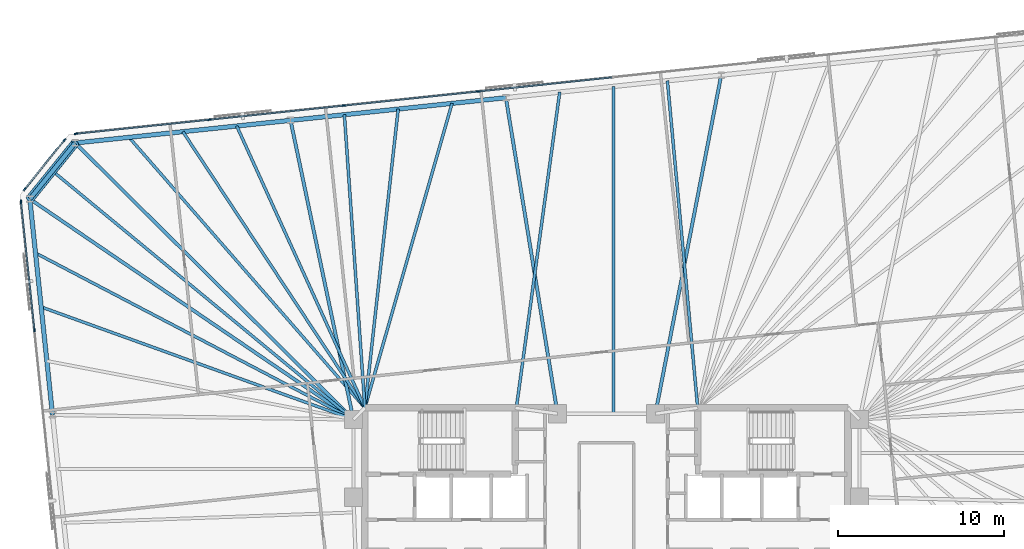
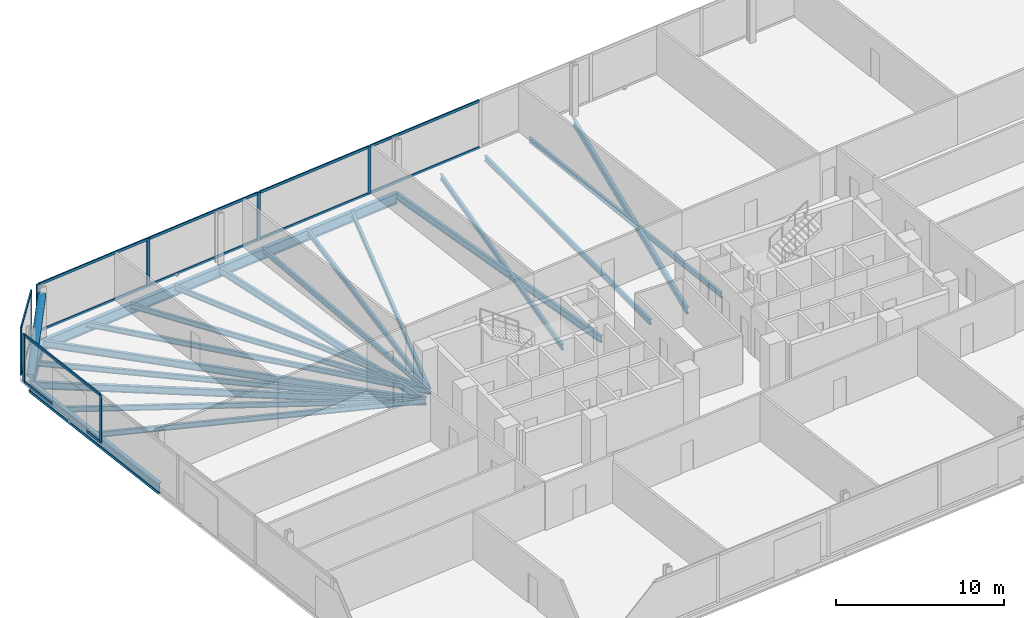
# One storey, part 9 of 18: 21 beams, 21 members, 3 elements without a shape of their own.
"""IFC4 building model written with IfcOpenShell, lengths in metres."""

from ifc_helpers import new_model, si_unit, direction, frame, origin, origin_2d, place, context, subcontext, project, spatial, rectangle, hollow_circle, i_section, extrude, material, material_profile, profile_set, type_object, element, aggregate, save


model = new_model("IFC4")

# Units and contexts
model_context = context("Model", 3, precision=1e-05, world=origin(), true_north=direction((0.0, 1.0)))
body_context = subcontext(model_context, "Body", "Model", "MODEL_VIEW")
ifc_project = project(units=[si_unit("LENGTHUNIT", "METRE"), si_unit("AREAUNIT", "SQUARE_METRE"), si_unit("VOLUMEUNIT", "CUBIC_METRE"), si_unit("PLANEANGLEUNIT", "RADIAN"), si_unit("MASSUNIT", "GRAM", prefix="KILO")], contexts=[model_context])

# Site, building, storey
site_placement = place(None, origin())
site = spatial("IfcSite", under=ifc_project, at=site_placement, CompositionType="ELEMENT")
building_placement = place(site_placement, origin())
building = spatial("IfcBuilding", under=site, at=building_placement, Name="Menara Jurai Vektor", CompositionType="ELEMENT")
storey_placement = place(building_placement, frame((0.0, 0.0, 98.5)))
storey = spatial("IfcBuildingStorey", under=building, at=storey_placement, Name="L24", CompositionType="ELEMENT", Elevation=98.5)

# Curtain wall, members
ifc_material_1 = material(Name="Anodised Pale Aluminium & Low-E Double Glazing", Category="aluminium")
curtain_wall_type = type_object("IfcCurtainWallType", Name="CW-BLK2", PredefinedType="NOTDEFINED", material=ifc_material_1)
curtain_wall_1_placement = place(storey_placement, origin())
curtain_wall_1 = element("IfcCurtainWall", 1, at=curtain_wall_1_placement, inside=storey, type_object=curtain_wall_type, Name="Unitised Curtain Wall L24 F05", PredefinedType="NOTDEFINED")
ifc_material_2 = material(Name="Anodised Pale Aluminium Mullion", Category="aluminium")
ifc_material_profile_1 = material_profile(ifc_material_2, rectangle(XDim=0.090087890625, YDim=0.219970703125, at=origin_2d()), Name="ALU MUL 90x220")
ifc_profile_set_1 = profile_set([ifc_material_profile_1], Name="Anodised Pale Aluminium Mullion")
member_type_1 = type_object("IfcMemberType", Name="CW-BLK2-MUL", PredefinedType="MULLION", material=ifc_profile_set_1)
member_1_placement = place(storey_placement, frame((-7.728271484375, 24.67138671875, 0.0), z_axis=(0.0, 0.0, 1.0), x_axis=(0.104528634935, -0.994521877325, 0.0)))
member_1 = element("IfcMember", 2, at=member_1_placement, type_object=member_type_1, Name="CW-02 mullion 6", PredefinedType="MULLION", context=body_context, shape_type="SweptSolid", body=[
    extrude(rectangle(XDim=0.090087890625, YDim=0.219970703125, at=origin_2d()), origin(), (0.0, 0.0, 1.0), 3.47509765625),
])
member_2_placement = place(storey_placement, frame((-15.826171875, 23.8203125, 0.0), z_axis=(0.0, 0.0, 1.0), x_axis=(0.104528634935, -0.994521877325, 0.0)))
member_2 = element("IfcMember", 3, at=member_2_placement, type_object=member_type_1, Name="CW-02 mullion 7", PredefinedType="MULLION", context=body_context, shape_type="SweptSolid", body=[
    extrude(rectangle(XDim=0.090087890625, YDim=0.219970703125, at=origin_2d()), origin(), (0.0, 0.0, 1.0), 3.47509765625),
])
member_3_placement = place(storey_placement, frame((-23.924072265625, 22.96923828125, 0.0), z_axis=(0.0, 0.0, 1.0), x_axis=(0.104528634935, -0.994521877325, 0.0)))
member_3 = element("IfcMember", 4, at=member_3_placement, type_object=member_type_1, Name="CW-02 mullion 8", PredefinedType="MULLION", context=body_context, shape_type="SweptSolid", body=[
    extrude(rectangle(XDim=0.090087890625, YDim=0.219970703125, at=origin_2d()), origin(), (0.0, 0.0, 1.0), 3.47509765625),
])
member_4_placement = place(storey_placement, frame((-31.97705078125, 22.122802734375, 0.0), z_axis=(0.0, 0.0, 1.0), x_axis=(0.104528634935, -0.994521877325, 0.0)))
member_4 = element("IfcMember", 5, at=member_4_placement, type_object=member_type_1, Name="CW-02 mullion 9", PredefinedType="MULLION", context=body_context, shape_type="SweptSolid", body=[
    extrude(rectangle(XDim=0.090087890625, YDim=0.219970703125, at=origin_2d()), origin(), (0.0, 0.0, 1.0), 3.47509765625),
])

curtain_wall_2_placement = place(storey_placement, origin())
curtain_wall_2 = element("IfcCurtainWall", 6, at=curtain_wall_2_placement, inside=storey, type_object=curtain_wall_type, Name="Unitised Curtain Wall L24 F06", PredefinedType="NOTDEFINED")
member_5_placement = place(storey_placement, frame((-32.667236328125, 21.748046875, 0.0), z_axis=(0.0, 0.0, 1.0), x_axis=(0.777129222223, -0.62934106172, 0.0)))
member_5 = element("IfcMember", 7, at=member_5_placement, type_object=member_type_1, Name="CW-02 mullion 1", PredefinedType="MULLION", context=body_context, shape_type="SweptSolid", body=[
    extrude(rectangle(XDim=0.090087890625, YDim=0.219970703125, at=origin_2d()), origin(), (0.0, 0.0, 1.0), 3.47509765625),
])
member_6_placement = place(storey_placement, frame((-35.0693359375, 18.781982421875, 0.0), z_axis=(0.0, 0.0, 1.0), x_axis=(0.777129222223, -0.62934106172, 0.0)))
member_6 = element("IfcMember", 8, at=member_6_placement, type_object=member_type_1, Name="CW-02 mullion 2", PredefinedType="MULLION", context=body_context, shape_type="SweptSolid", body=[
    extrude(rectangle(XDim=0.090087890625, YDim=0.219970703125, at=origin_2d()), origin(), (0.0, 0.0, 1.0), 3.47509765625),
])

curtain_wall_3_placement = place(storey_placement, origin())
curtain_wall_3 = element("IfcCurtainWall", 9, at=curtain_wall_3_placement, inside=storey, type_object=curtain_wall_type, Name="Unitised Curtain Wall L24 F07", PredefinedType="NOTDEFINED")
member_7_placement = place(storey_placement, frame((-35.29248046875, 18.029052734375, 0.0), z_axis=(0.0, 0.0, 1.0), x_axis=(0.99452177832, 0.104529576902, 0.0)))
member_7 = element("IfcMember", 10, at=member_7_placement, type_object=member_type_1, Name="CW-02 mullion 1", PredefinedType="MULLION", context=body_context, shape_type="SweptSolid", body=[
    extrude(rectangle(XDim=0.090087890625, YDim=0.219970703125, at=origin_2d()), origin(), (0.0, 0.0, 1.0), 3.47509765625),
])
member_8_placement = place(storey_placement, frame((-34.478759765625, 10.28857421875, 0.0), z_axis=(0.0, 0.0, 1.0), x_axis=(0.99452177832, 0.104529576902, 0.0)))
member_8 = element("IfcMember", 11, at=member_8_placement, type_object=member_type_1, Name="CW-02 mullion 2", PredefinedType="MULLION", context=body_context, shape_type="SweptSolid", body=[
    extrude(rectangle(XDim=0.090087890625, YDim=0.219970703125, at=origin_2d()), origin(), (0.0, 0.0, 1.0), 3.47509765625),
])

# Member
ifc_material_3 = material(Name="Anodised Pale Aluminium Transom", Category="aluminium")
ifc_material_profile_2 = material_profile(ifc_material_3, rectangle(XDim=0.090087890625, YDim=0.18505859375, at=origin_2d()), Name="ALU TRN 90x185")
ifc_profile_set_2 = profile_set([ifc_material_profile_2], Name="Anodised Pale Aluminium Transom")
member_type_2 = type_object("IfcMemberType", Name="CW-BLK2-TRN", PredefinedType="USERDEFINED", material=ifc_profile_set_2)
member_9_placement = place(storey_placement, frame((0.324951171875, 25.517822265625, 0.044921875), z_axis=(-0.99452387809, -0.104509597213, 0.0), x_axis=(0.104509597213, -0.99452387809, 0.0)))
member_9 = element("IfcMember", 12, at=member_9_placement, type_object=member_type_2, Name="CW-02 transom 5.1", ObjectType="TRANSOM", PredefinedType="USERDEFINED", context=body_context, shape_type="SweptSolid", body=[
    extrude(rectangle(XDim=0.090087890625, YDim=0.18505859375, at=origin_2d()), origin(), (0.0, 0.0, 1.0), 8.052490234375),
])

member_10_placement = place(storey_placement, frame((0.324951171875, 25.517822265625, 3.429931640625), z_axis=(-0.99452387809, -0.104509597213, 0.0), x_axis=(0.104509597213, -0.99452387809, 0.0)))
member_10 = element("IfcMember", 13, at=member_10_placement, type_object=member_type_2, Name="CW-02 transom 5.2", ObjectType="TRANSOM", PredefinedType="USERDEFINED", context=body_context, shape_type="SweptSolid", body=[
    extrude(rectangle(XDim=0.090087890625, YDim=0.18505859375, at=origin_2d()), origin(), (0.0, 0.0, 1.0), 8.052490234375),
])

member_11_placement = place(storey_placement, frame((-7.77294921875, 24.666748046875, 0.044921875), z_axis=(-0.994520726373, -0.10453958492, 0.0), x_axis=(0.10453958492, -0.994520726373, 0.0)))
member_11 = element("IfcMember", 14, at=member_11_placement, type_object=member_type_2, Name="CW-02 transom 6.1", ObjectType="TRANSOM", PredefinedType="USERDEFINED", context=body_context, shape_type="SweptSolid", body=[
    extrude(rectangle(XDim=0.090087890625, YDim=0.18505859375, at=origin_2d()), origin(), (0.0, 0.0, 1.0), 8.052490234375),
])

member_12_placement = place(storey_placement, frame((-7.77294921875, 24.666748046875, 3.429931640625), z_axis=(-0.994520726373, -0.10453958492, 0.0), x_axis=(0.10453958492, -0.994520726373, 0.0)))
member_12 = element("IfcMember", 15, at=member_12_placement, type_object=member_type_2, Name="CW-02 transom 6.2", ObjectType="TRANSOM", PredefinedType="USERDEFINED", context=body_context, shape_type="SweptSolid", body=[
    extrude(rectangle(XDim=0.090087890625, YDim=0.18505859375, at=origin_2d()), origin(), (0.0, 0.0, 1.0), 8.052490234375),
])

member_13_placement = place(storey_placement, frame((-15.870849609375, 23.815673828125, 0.044921875), z_axis=(-0.994520726373, -0.10453958492, 0.0), x_axis=(0.10453958492, -0.994520726373, 0.0)))
member_13 = element("IfcMember", 16, at=member_13_placement, type_object=member_type_2, Name="CW-02 transom 7.1", ObjectType="TRANSOM", PredefinedType="USERDEFINED", context=body_context, shape_type="SweptSolid", body=[
    extrude(rectangle(XDim=0.090087890625, YDim=0.18505859375, at=origin_2d()), origin(), (0.0, 0.0, 1.0), 8.052490234375),
])

member_14_placement = place(storey_placement, frame((-15.870849609375, 23.815673828125, 3.429931640625), z_axis=(-0.994520726373, -0.10453958492, 0.0), x_axis=(0.10453958492, -0.994520726373, 0.0)))
member_14 = element("IfcMember", 17, at=member_14_placement, type_object=member_type_2, Name="CW-02 transom 7.2", ObjectType="TRANSOM", PredefinedType="USERDEFINED", context=body_context, shape_type="SweptSolid", body=[
    extrude(rectangle(XDim=0.090087890625, YDim=0.18505859375, at=origin_2d()), origin(), (0.0, 0.0, 1.0), 8.052490234375),
])

member_15_placement = place(storey_placement, frame((-23.96875, 22.964599609375, 0.044921875), z_axis=(-0.994519977808, -0.104546706027, 0.0), x_axis=(0.104546706027, -0.994519977808, 0.0)))
member_15 = element("IfcMember", 18, at=member_15_placement, type_object=member_type_2, Name="CW-02 transom 8.1", ObjectType="TRANSOM", PredefinedType="USERDEFINED", context=body_context, shape_type="SweptSolid", body=[
    extrude(rectangle(XDim=0.090087890625, YDim=0.18505859375, at=origin_2d()), origin(), (0.0, 0.0, 1.0), 8.007568359375),
])

member_16_placement = place(storey_placement, frame((-23.96875, 22.964599609375, 3.429931640625), z_axis=(-0.994519977808, -0.104546706027, 0.0), x_axis=(0.104546706027, -0.994519977808, 0.0)))
member_16 = element("IfcMember", 19, at=member_16_placement, type_object=member_type_2, Name="CW-02 transom 8.2", ObjectType="TRANSOM", PredefinedType="USERDEFINED", context=body_context, shape_type="SweptSolid", body=[
    extrude(rectangle(XDim=0.090087890625, YDim=0.18505859375, at=origin_2d()), origin(), (0.0, 0.0, 1.0), 8.007568359375),
])

aggregate(curtain_wall_1, [member_1, member_2, member_3, member_4, member_9, member_10, member_11, member_12, member_13, member_14, member_15, member_16])

member_17_placement = place(storey_placement, frame((-32.695556640625, 21.713134765625, 0.044921875), z_axis=(-0.6293414396, -0.777128916205, 0.0), x_axis=(0.777128916205, -0.6293414396, 0.0)))
member_17 = element("IfcMember", 20, at=member_17_placement, type_object=member_type_2, Name="CW-02 transom 1.1", ObjectType="TRANSOM", PredefinedType="USERDEFINED", context=body_context, shape_type="SweptSolid", body=[
    extrude(rectangle(XDim=0.090087890625, YDim=0.18505859375, at=origin_2d()), origin(), (0.0, 0.0, 1.0), 3.726806640625),
])

member_18_placement = place(storey_placement, frame((-32.695556640625, 21.713134765625, 3.429931640625), z_axis=(-0.6293414396, -0.777128916205, 0.0), x_axis=(0.777128916205, -0.6293414396, 0.0)))
member_18 = element("IfcMember", 21, at=member_18_placement, type_object=member_type_2, Name="CW-02 transom 1.2", ObjectType="TRANSOM", PredefinedType="USERDEFINED", context=body_context, shape_type="SweptSolid", body=[
    extrude(rectangle(XDim=0.090087890625, YDim=0.18505859375, at=origin_2d()), origin(), (0.0, 0.0, 1.0), 3.726806640625),
])

aggregate(curtain_wall_2, [member_5, member_6, member_17, member_18])

member_19_placement = place(storey_placement, frame((-35.28759765625, 17.984130859375, 0.044921875), z_axis=(0.104504716935, -0.994524390922, 0.0), x_axis=(0.994524390922, 0.104504716935, 0.0)))
member_19 = element("IfcMember", 22, at=member_19_placement, type_object=member_type_2, Name="CW-02 transom 1.1", ObjectType="TRANSOM", PredefinedType="USERDEFINED", context=body_context, shape_type="SweptSolid", body=[
    extrude(rectangle(XDim=0.090087890625, YDim=0.18505859375, at=origin_2d()), origin(), (0.0, 0.0, 1.0), 7.693115234375),
])

member_20_placement = place(storey_placement, frame((-35.28759765625, 17.984130859375, 3.429931640625), z_axis=(0.104504716935, -0.994524390922, 0.0), x_axis=(0.994524390922, 0.104504716935, 0.0)))
member_20 = element("IfcMember", 23, at=member_20_placement, type_object=member_type_2, Name="CW-02 transom 1.2", ObjectType="TRANSOM", PredefinedType="USERDEFINED", context=body_context, shape_type="SweptSolid", body=[
    extrude(rectangle(XDim=0.090087890625, YDim=0.18505859375, at=origin_2d()), origin(), (0.0, 0.0, 1.0), 7.693115234375),
])

aggregate(curtain_wall_3, [member_7, member_8, member_19, member_20])

# Beams
ifc_material_4 = material(Name="Steel S355", Category="steel")
ifc_material_profile_3 = material_profile(ifc_material_4, i_section(OverallWidth=0.199951171875, OverallDepth=0.5, WebThickness=0.011962890625, FlangeThickness=0.02001953125, at=origin_2d()), Name="PG 500x200x96")
ifc_profile_set_3 = profile_set([ifc_material_profile_3], Name="Steel S355")
beam_type_1 = type_object("IfcBeamType", Name="STR-BM-500", PredefinedType="BEAM", material=ifc_profile_set_3)
beam_1_placement = place(storey_placement, frame((6.9169921875, 25.65771484375, -0.47509765625), z_axis=(-0.190817481746, -0.981625533826, 0.0), x_axis=(0.981625533826, -0.190817481746, 0.0)))
element("IfcBeam", 24, at=beam_1_placement, inside=storey, type_object=beam_type_1, Name="Radial Floor Girder L24-N3", PredefinedType="BEAM", context=body_context, shape_type="SweptSolid", body=[
    extrude(i_section(OverallWidth=0.199951171875, OverallDepth=0.5, WebThickness=0.011962890625, FlangeThickness=0.02001953125, at=origin_2d()), origin(), (0.0, 0.0, 1.0), 20.789794921875),
])
beam_2_placement = place(storey_placement, frame((-6.0625, 24.29345703125, -0.47509765625), z_axis=(0.161304178177, -0.986904738109, 0.0), x_axis=(0.986904738109, 0.161304178177, 0.0)))
element("IfcBeam", 25, at=beam_2_placement, inside=storey, type_object=beam_type_1, Name="Radial Floor Girder L24-N4", PredefinedType="BEAM", context=body_context, shape_type="SweptSolid", body=[
    extrude(i_section(OverallWidth=0.199951171875, OverallDepth=0.5, WebThickness=0.011962890625, FlangeThickness=0.02001953125, at=origin_2d()), origin(), (0.0, 0.0, 1.0), 19.296142578125),
])
beam_3_placement = place(storey_placement, frame((-19.042236328125, 22.92919921875, -0.47509765625), z_axis=(0.205833499861, -0.978587027471, 0.0), x_axis=(0.978587027471, 0.205833499861, 0.0)))
element("IfcBeam", 26, at=beam_3_placement, inside=storey, type_object=beam_type_1, Name="Radial Floor Girder L24-N5", PredefinedType="BEAM", context=body_context, shape_type="SweptSolid", body=[
    extrude(i_section(OverallWidth=0.199951171875, OverallDepth=0.5, WebThickness=0.011962890625, FlangeThickness=0.02001953125, at=origin_2d()), origin(), (0.0, 0.0, 1.0), 18.423828125),
])
beam_4_placement = place(storey_placement, frame((-32.02197265625, 21.565185546875, -0.47509765625), z_axis=(0.709359361276, -0.704847002242, 0.0), x_axis=(0.704847002242, 0.709359361276, 0.0)))
element("IfcBeam", 27, at=beam_4_placement, inside=storey, type_object=beam_type_1, Name="Radial Floor Girder L24-N6", PredefinedType="BEAM", context=body_context, shape_type="SweptSolid", body=[
    extrude(i_section(OverallWidth=0.199951171875, OverallDepth=0.5, WebThickness=0.011962890625, FlangeThickness=0.02001953125, at=origin_2d()), origin(), (0.0, 0.0, 1.0), 23.643798828125),
])
beam_5_placement = place(storey_placement, frame((-34.756103515625, 18.188720703125, -0.47509765625), z_axis=(0.826440214756, -0.563024485643, 0.0), x_axis=(0.563024485643, 0.826440214756, 0.0)))
element("IfcBeam", 28, at=beam_5_placement, inside=storey, type_object=beam_type_1, Name="Radial Floor Girder L24-W1", PredefinedType="BEAM", context=body_context, shape_type="SweptSolid", body=[
    extrude(i_section(OverallWidth=0.199951171875, OverallDepth=0.5, WebThickness=0.011962890625, FlangeThickness=0.02001953125, at=origin_2d()), origin(), (0.0, 0.0, 1.0), 23.6025390625),
])

# Member
ifc_material_5 = material(Name="Steel S460", Category="steel")
ifc_material_profile_4 = material_profile(ifc_material_5, hollow_circle(Radius=0.25390625, WallThickness=0.02001953125, at=origin_2d()), Name="CHS 508x20")
ifc_profile_set_4 = profile_set([ifc_material_profile_4], Name="Steel S460")
member_type_3 = type_object("IfcMemberType", Name="STR-BR-508", PredefinedType="BRACE", material=ifc_profile_set_4)
member_21_placement = place(storey_placement, frame((-34.756103515625, 18.188720703125, 0.14990234375), z_axis=(0.519237856236, 0.641223283484, 0.564999778203), x_axis=(-0.777154568396, 0.629309762217, 0.0)))
element("IfcMember", 29, at=member_21_placement, inside=storey, type_object=member_type_3, Name="Exoskeleton Corner Brace L24-3", PredefinedType="BRACE", context=body_context, shape_type="SweptSolid", body=[
    extrude(hollow_circle(Radius=0.25390625, WallThickness=0.02001953125, at=origin_2d()), origin(), (0.0, 0.0, 1.0), 5.265625),
])

# Beams
ifc_material_profile_5 = material_profile(ifc_material_4, i_section(OverallWidth=0.175048828125, OverallDepth=0.3798828125, WebThickness=0.010009765625, FlangeThickness=0.014892578125, at=origin_2d()), Name="PG 380x175x58")
ifc_profile_set_5 = profile_set([ifc_material_profile_5], Name="Steel S355")
beam_type_2 = type_object("IfcBeamType", Name="STR-JS-380", PredefinedType="JOIST", material=ifc_profile_set_5)
beam_6_placement = place(storey_placement, frame((3.672119140625, 25.316650390625, -0.4150390625), z_axis=(0.092312082085, -0.995730123829, 0.0), x_axis=(0.995730123829, 0.092312082085, 0.0)))
element("IfcBeam", 30, at=beam_6_placement, inside=storey, type_object=beam_type_2, Name="Radial Secondary Floor Joist L24-JS26", PredefinedType="JOIST", context=body_context, shape_type="SweptSolid", body=[
    extrude(i_section(OverallWidth=0.175048828125, OverallDepth=0.3798828125, WebThickness=0.010009765625, FlangeThickness=0.014892578125, at=origin_2d()), origin(), (0.0, 0.0, 1.0), 19.801025390625),
])
beam_7_placement = place(storey_placement, frame((0.42724609375, 24.9755859375, -0.4150390625), z_axis=(0.0, -1.0, 0.0), x_axis=(1.0, 0.0, 0.0)))
element("IfcBeam", 31, at=beam_7_placement, inside=storey, type_object=beam_type_2, Name="Radial Secondary Floor Joist L24-JS27", PredefinedType="JOIST", context=body_context, shape_type="SweptSolid", body=[
    extrude(i_section(OverallWidth=0.175048828125, OverallDepth=0.3798828125, WebThickness=0.010009765625, FlangeThickness=0.014892578125, at=origin_2d()), origin(), (0.0, 0.0, 1.0), 19.7255859375),
])
beam_8_placement = place(storey_placement, frame((-2.817626953125, 24.634521484375, -0.4150390625), z_axis=(-0.135987109192, -0.990710606652, 0.0), x_axis=(0.990710606652, -0.135987109192, 0.0)))
element("IfcBeam", 32, at=beam_8_placement, inside=storey, type_object=beam_type_2, Name="Radial Secondary Floor Joist L24-JS28", PredefinedType="JOIST", context=body_context, shape_type="SweptSolid", body=[
    extrude(i_section(OverallWidth=0.175048828125, OverallDepth=0.3798828125, WebThickness=0.010009765625, FlangeThickness=0.014892578125, at=origin_2d()), origin(), (0.0, 0.0, 1.0), 19.222412109375),
])
beam_9_placement = place(storey_placement, frame((-9.3076171875, 23.952392578125, -0.4150390625), z_axis=(-0.275153530359, -0.961400298903, 0.0), x_axis=(0.961400298903, -0.275153530359, 0.0)))
element("IfcBeam", 33, at=beam_9_placement, inside=storey, type_object=beam_type_2, Name="Radial Secondary Floor Joist L24-JS29", PredefinedType="JOIST", context=body_context, shape_type="SweptSolid", body=[
    extrude(i_section(OverallWidth=0.175048828125, OverallDepth=0.3798828125, WebThickness=0.010009765625, FlangeThickness=0.014892578125, at=origin_2d()), origin(), (0.0, 0.0, 1.0), 19.089111328125),
])
beam_10_placement = place(storey_placement, frame((-12.552490234375, 23.611328125, -0.4150390625), z_axis=(-0.110776028048, -0.993845396231, 0.0), x_axis=(0.993845396231, -0.110776028048, 0.0)))
element("IfcBeam", 34, at=beam_10_placement, inside=storey, type_object=beam_type_2, Name="Radial Secondary Floor Joist L24-JS30", PredefinedType="JOIST", context=body_context, shape_type="SweptSolid", body=[
    extrude(i_section(OverallWidth=0.175048828125, OverallDepth=0.3798828125, WebThickness=0.010009765625, FlangeThickness=0.014892578125, at=origin_2d()), origin(), (0.0, 0.0, 1.0), 18.122802734375),
])
beam_11_placement = place(storey_placement, frame((-15.79736328125, 23.2705078125, -0.4150390625), z_axis=(0.069850249402, -0.997557488398, 0.0), x_axis=(0.997557488398, 0.069850249402, 0.0)))
element("IfcBeam", 35, at=beam_11_placement, inside=storey, type_object=beam_type_2, Name="Radial Secondary Floor Joist L24-JS31", PredefinedType="JOIST", context=body_context, shape_type="SweptSolid", body=[
    extrude(i_section(OverallWidth=0.175048828125, OverallDepth=0.3798828125, WebThickness=0.010009765625, FlangeThickness=0.014892578125, at=origin_2d()), origin(), (0.0, 0.0, 1.0), 17.713623046875),
])
beam_12_placement = place(storey_placement, frame((-22.287109375, 22.58837890625, -0.4150390625), z_axis=(0.414029617818, -0.910263409992, 0.0), x_axis=(0.910263409992, 0.414029617818, 0.0)))
element("IfcBeam", 36, at=beam_12_placement, inside=storey, type_object=beam_type_2, Name="Radial Secondary Floor Joist L24-JS32", PredefinedType="JOIST", context=body_context, shape_type="SweptSolid", body=[
    extrude(i_section(OverallWidth=0.175048828125, OverallDepth=0.3798828125, WebThickness=0.010009765625, FlangeThickness=0.014892578125, at=origin_2d()), origin(), (0.0, 0.0, 1.0), 18.6630859375),
])
beam_13_placement = place(storey_placement, frame((-25.531982421875, 22.247314453125, -0.4150390625), z_axis=(0.550309675793, -0.834960634239, 0.0), x_axis=(0.834960634239, 0.550309675793, 0.0)))
element("IfcBeam", 37, at=beam_13_placement, inside=storey, type_object=beam_type_2, Name="Radial Secondary Floor Joist L24-JS33", PredefinedType="JOIST", context=body_context, shape_type="SweptSolid", body=[
    extrude(i_section(OverallWidth=0.175048828125, OverallDepth=0.3798828125, WebThickness=0.010009765625, FlangeThickness=0.014892578125, at=origin_2d()), origin(), (0.0, 0.0, 1.0), 19.937744140625),
])
beam_14_placement = place(storey_placement, frame((-28.777099609375, 21.90625, -0.4150390625), z_axis=(0.657172520545, -0.753740192798, 0.0), x_axis=(0.753740192798, 0.657172520545, 0.0)))
element("IfcBeam", 38, at=beam_14_placement, inside=storey, type_object=beam_type_2, Name="Radial Secondary Floor Joist L24-JS34", PredefinedType="JOIST", context=body_context, shape_type="SweptSolid", body=[
    extrude(i_section(OverallWidth=0.175048828125, OverallDepth=0.3798828125, WebThickness=0.010009765625, FlangeThickness=0.014892578125, at=origin_2d()), origin(), (0.0, 0.0, 1.0), 21.633544921875),
])
beam_15_placement = place(storey_placement, frame((-33.388916015625, 19.876953125, -0.4150390625), z_axis=(0.771113505069, -0.636697700876, 0.0), x_axis=(0.636697700876, 0.771113505069, 0.0)))
element("IfcBeam", 39, at=beam_15_placement, inside=storey, type_object=beam_type_2, Name="Radial Secondary Floor Joist L24-JS35", PredefinedType="JOIST", context=body_context, shape_type="SweptSolid", body=[
    extrude(i_section(OverallWidth=0.175048828125, OverallDepth=0.3798828125, WebThickness=0.010009765625, FlangeThickness=0.014892578125, at=origin_2d()), origin(), (0.0, 0.0, 1.0), 23.52294921875),
])
beam_16_placement = place(storey_placement, frame((-34.414306640625, 14.935302734375, -0.4150390625), z_axis=(0.885889402471, -0.463896504179, 0.0), x_axis=(0.463896504179, 0.885889402471, 0.0)))
element("IfcBeam", 40, at=beam_16_placement, inside=storey, type_object=beam_type_2, Name="Radial Secondary Floor Joist L24-JS36", PredefinedType="JOIST", context=body_context, shape_type="SweptSolid", body=[
    extrude(i_section(OverallWidth=0.175048828125, OverallDepth=0.3798828125, WebThickness=0.010009765625, FlangeThickness=0.014892578125, at=origin_2d()), origin(), (0.0, 0.0, 1.0), 21.6328125),
])
beam_17_placement = place(storey_placement, frame((-34.072265625, 11.681884765625, -0.4150390625), z_axis=(0.940792327273, -0.338983475917, 0.0), x_axis=(0.338983475917, 0.940792327273, 0.0)))
element("IfcBeam", 41, at=beam_17_placement, inside=storey, type_object=beam_type_2, Name="Radial Secondary Floor Joist L24-JS37", PredefinedType="JOIST", context=body_context, shape_type="SweptSolid", body=[
    extrude(i_section(OverallWidth=0.175048828125, OverallDepth=0.3798828125, WebThickness=0.010009765625, FlangeThickness=0.014892578125, at=origin_2d()), origin(), (0.0, 0.0, 1.0), 20.0068359375),
])
ifc_material_profile_6 = material_profile(ifc_material_5, i_section(OverallWidth=0.26806640625, OverallDepth=0.77001953125, WebThickness=0.01611328125, FlangeThickness=0.02490234375, FilletRadius=0.01708984375, at=origin_2d()), Name="UKB 762x267x197")
ifc_profile_set_6 = profile_set([ifc_material_profile_6], Name="Steel S460")
beam_type_3 = type_object("IfcBeamType", Name="STR-SP-762", PredefinedType="SPANDREL", material=ifc_profile_set_6)
for number, where, z_axis, x_axis, name in (
    (42, (-6.0625, 24.29345703125, -0.610107421875), (-0.994521636083, -0.104530930169, 0.0), (0.104530930169, -0.994521636083, 0.0), "Exoskeleton Spandrel Beam L24-14"),
    (43, (-19.042236328125, 22.92919921875, -0.610107421875), (-0.994523580592, -0.104512428191, 0.0), (0.104512428191, -0.994523580592, 0.0), "Exoskeleton Spandrel Beam L24-15"),
):
    element("IfcBeam", number, at=place(storey_placement, frame(where, z_axis=z_axis, x_axis=x_axis)), inside=storey, type_object=beam_type_3, Name=name, PredefinedType="SPANDREL", context=body_context, shape_type="SweptSolid", body=[
        extrude(i_section(OverallWidth=0.26806640625, OverallDepth=0.77001953125, WebThickness=0.01611328125, FlangeThickness=0.02490234375, FilletRadius=0.01708984375, at=origin_2d()), origin(), (0.0, 0.0, 1.0), 13.05126953125),
    ])
beam_18_placement = place(storey_placement, frame((-32.02197265625, 21.565185546875, -0.610107421875), z_axis=(-0.629309762217, -0.777154568396, 0.0), x_axis=(0.777154568396, -0.629309762217, 0.0)))
element("IfcBeam", 44, at=beam_18_placement, inside=storey, type_object=beam_type_3, Name="Exoskeleton Spandrel Beam L24-16", PredefinedType="SPANDREL", context=body_context, shape_type="SweptSolid", body=[
    extrude(i_section(OverallWidth=0.26806640625, OverallDepth=0.77001953125, WebThickness=0.01611328125, FlangeThickness=0.02490234375, FilletRadius=0.01708984375, at=origin_2d()), origin(), (0.0, 0.0, 1.0), 4.3447265625),
])
beam_19_placement = place(storey_placement, frame((-34.756103515625, 18.188720703125, -0.610107421875), z_axis=(0.104538130097, -0.994520879296, 0.0), x_axis=(0.994520879296, 0.104538130097, 0.0)))
element("IfcBeam", 45, at=beam_19_placement, inside=storey, type_object=beam_type_3, Name="Exoskeleton Spandrel Beam L24-17", PredefinedType="SPANDREL", context=body_context, shape_type="SweptSolid", body=[
    extrude(i_section(OverallWidth=0.26806640625, OverallDepth=0.77001953125, WebThickness=0.01611328125, FlangeThickness=0.02490234375, FilletRadius=0.01708984375, at=origin_2d()), origin(), (0.0, 0.0, 1.0), 13.08544921875),
])

save(model, "model.ifc")
